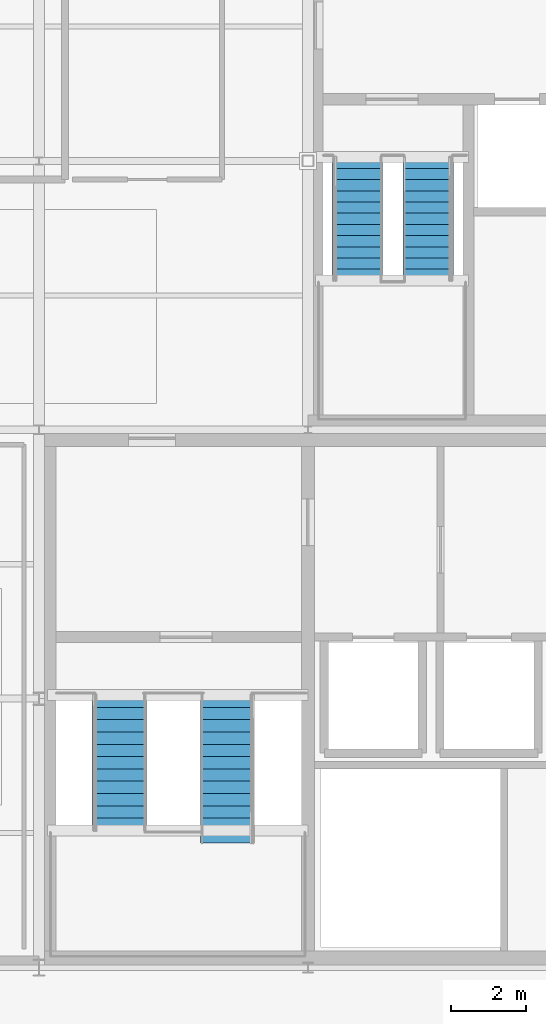
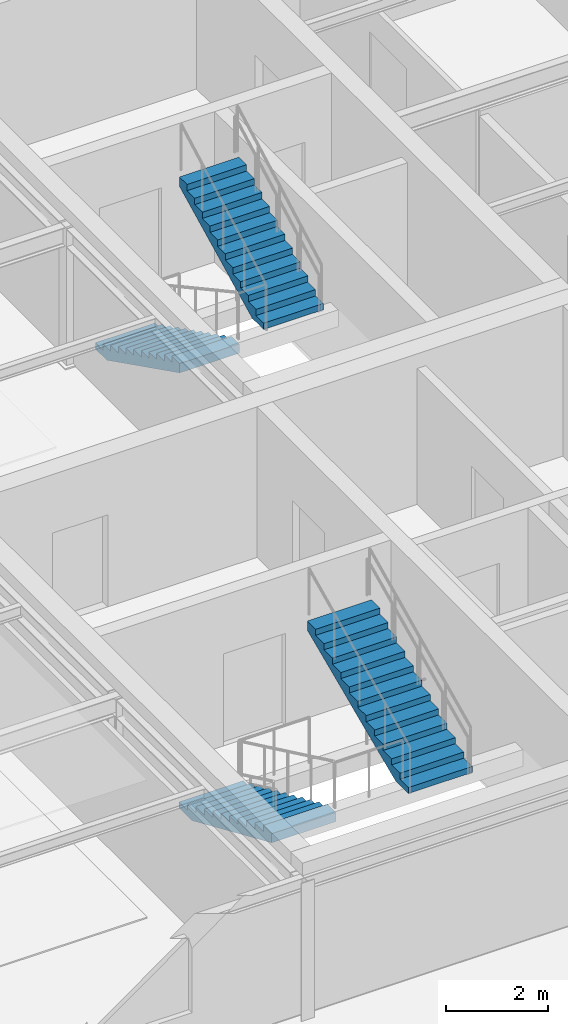
# One storey, part 19 of 22: 4 stair flights, 2 elements without a shape of their own.
"""IFC4 building model written with IfcOpenShell, lengths in metres."""

from ifc_helpers import new_model, si_unit, direction, frame, origin, place, context, subcontext, project, spatial, polyline, outline, extrude, material, layer, layer_set, type_object, element, aggregate, save


model = new_model("IFC4")

# Units and contexts
model_context = context("Model", 3, precision=1e-05, world=origin(), true_north=direction((0.0, 1.0)))
body_context = subcontext(model_context, "Body", "Model", "MODEL_VIEW")
ifc_project = project(units=[si_unit("LENGTHUNIT", "METRE"), si_unit("AREAUNIT", "SQUARE_METRE"), si_unit("VOLUMEUNIT", "CUBIC_METRE"), si_unit("PLANEANGLEUNIT", "RADIAN"), si_unit("MASSUNIT", "GRAM", prefix="KILO")], contexts=[model_context])

# Site, building, storey
site_placement = place(None, origin())
site = spatial("IfcSite", under=ifc_project, at=site_placement, CompositionType="ELEMENT")
building_placement = place(site_placement, origin())
building = spatial("IfcBuilding", under=site, at=building_placement, Name="Leyfeld Transit Interchange", CompositionType="ELEMENT")
storey_placement = place(building_placement, frame((0.0, 0.0, 18.0)))
storey = spatial("IfcBuildingStorey", under=building, at=storey_placement, Name="L04", CompositionType="ELEMENT", Elevation=18.0)

# Stair, stair flights
ifc_material = material(Name="Precast concrete C40/50", Category="concrete")
stair_type_1 = type_object("IfcStairType", Name="STR-HT-150x300", PredefinedType="HALF_TURN_STAIR", material=ifc_material)
stair_1_placement = place(storey_placement, origin())
stair_1 = element("IfcStair", 1, at=stair_1_placement, inside=storey, type_object=stair_type_1, Name="Exit Stair ST-02 (L04 to L05)", PredefinedType="HALF_TURN_STAIR")
ifc_layer_1 = layer(ifc_material, 0.199951171875, Name="Precast concrete C40/50")
ifc_layer_set_1 = layer_set([ifc_layer_1], Name="Precast concrete C40/50")
stair_flight_type_1 = type_object("IfcStairFlightType", Name="FLT-1350", PredefinedType="STRAIGHT", material=ifc_layer_set_1)
stair_flight_1_placement = place(storey_placement, frame((15.719970703125, 115.300048828125, 0.0), z_axis=(0.0, 0.0, 1.0), x_axis=(0.0, -1.0, 0.0)))
stair_flight_1 = element("IfcStairFlight", 2, at=stair_flight_1_placement, type_object=stair_flight_type_1, Name="Stair ST-02 L04 Flight 1", NumberOfRisers=12, NumberOfTreads=11, PredefinedType="STRAIGHT", RiserHeight=0.15, TreadLength=0.3, context=body_context, shape_type="SweptSolid", body=[
    extrude(outline(polyline([(0.0, 0.0), (0.0, 0.14990234375), (0.300048828125, 0.14990234375), (0.300048828125, 0.300048828125), (0.60009765625, 0.300048828125), (0.60009765625, 0.449951171875), (0.89990234375, 0.449951171875), (0.89990234375, 0.60009765625), (1.199951171875, 0.60009765625), (1.199951171875, 0.75), (1.5, 0.75), (1.5, 0.89990234375), (1.800048828125, 0.89990234375), (1.800048828125, 1.050048828125), (2.10009765625, 1.050048828125), (2.10009765625, 1.199951171875), (2.39990234375, 1.199951171875), (2.39990234375, 1.35009765625), (2.699951171875, 1.35009765625), (2.699951171875, 1.5), (3.0, 1.5), (3.0, 1.64990234375), (3.300048828125, 1.64990234375), (3.300048828125, 1.800048828125), (3.300048828125, 1.426513671875), (0.447021484375, 0.0), (0.0, 0.0)])), frame((0.0, 0.675048828125, 0.0), z_axis=(0.0, -1.0, 0.0), x_axis=(1.0, 0.0, 0.0)), (0.0, 0.0, 1.0), 1.35009765625),
])
stair_flight_2_placement = place(storey_placement, frame((17.6201171875, 112.0, 1.800048828125), z_axis=(0.0, 0.0, 1.0), x_axis=(0.0, 1.0, 0.0)))
stair_flight_2 = element("IfcStairFlight", 3, at=stair_flight_2_placement, type_object=stair_flight_type_1, Name="Stair ST-02 L04 Flight 2", NumberOfRisers=12, NumberOfTreads=11, PredefinedType="STRAIGHT", RiserHeight=0.15, TreadLength=0.3, context=body_context, shape_type="SweptSolid", body=[
    extrude(outline(polyline([(0.0, 0.0), (0.0, 0.14990234375), (0.300048828125, 0.14990234375), (0.300048828125, 0.300048828125), (0.60009765625, 0.300048828125), (0.60009765625, 0.449951171875), (0.89990234375, 0.449951171875), (0.89990234375, 0.60009765625), (1.199951171875, 0.60009765625), (1.199951171875, 0.75), (1.5, 0.75), (1.5, 0.89990234375), (1.800048828125, 0.89990234375), (1.800048828125, 1.050048828125), (2.10009765625, 1.050048828125), (2.10009765625, 1.199951171875), (2.39990234375, 1.199951171875), (2.39990234375, 1.35009765625), (2.699951171875, 1.35009765625), (2.699951171875, 1.5), (3.0, 1.5), (3.0, 1.64990234375), (3.300048828125, 1.64990234375), (3.300048828125, 1.800048828125), (3.300048828125, 1.426513671875), (0.447021484375, 0.0), (0.0, 0.0)])), frame((0.0, 0.675048828125, 0.0), z_axis=(0.0, -1.0, 0.0), x_axis=(1.0, 0.0, 0.0)), (0.0, 0.0, 1.0), 1.35009765625),
])
aggregate(stair_1, [stair_flight_1, stair_flight_2])

stair_type_2 = type_object("IfcStairType", Name="STR-HT-144x330", PredefinedType="HALF_TURN_STAIR", material=ifc_material)
stair_2_placement = place(storey_placement, origin())
stair_2 = element("IfcStair", 4, at=stair_2_placement, inside=storey, type_object=stair_type_2, Name="Exit Stair ST-01 (L04 to L05)", PredefinedType="HALF_TURN_STAIR")
ifc_layer_2 = layer(ifc_material, 0.199951171875, Name="Precast concrete C40/50")
ifc_layer_set_2 = layer_set([ifc_layer_2], Name="Precast concrete C40/50")
stair_flight_type_2 = type_object("IfcStairFlightType", Name="FLT-1450", PredefinedType="STRAIGHT", material=ifc_layer_set_2)
stair_flight_3_placement = place(storey_placement, frame((9.35009765625, 100.89990234375, 0.0), z_axis=(0.0, 0.0, 1.0), x_axis=(0.0, -1.0, 0.0)))
stair_flight_3 = element("IfcStairFlight", 5, at=stair_flight_3_placement, type_object=stair_flight_type_2, Name="Stair ST-01 L04 Flight 1", NumberOfRisers=12, NumberOfTreads=11, PredefinedType="STRAIGHT", RiserHeight=0.144, TreadLength=0.33, context=body_context, shape_type="SweptSolid", body=[
    extrude(outline(polyline([(0.0, 0.0), (0.0, 0.14404296875), (0.330078125, 0.14404296875), (0.330078125, 0.2880859375), (0.659912109375, 0.2880859375), (0.659912109375, 0.431884765625), (0.989990234375, 0.431884765625), (0.989990234375, 0.575927734375), (1.320068359375, 0.575927734375), (1.320068359375, 0.719970703125), (1.64990234375, 0.719970703125), (1.64990234375, 0.864013671875), (1.97998046875, 0.864013671875), (1.97998046875, 1.008056640625), (2.31005859375, 1.008056640625), (2.31005859375, 1.152099609375), (2.639892578125, 1.152099609375), (2.639892578125, 1.2958984375), (2.969970703125, 1.2958984375), (2.969970703125, 1.43994140625), (3.300048828125, 1.43994140625), (3.300048828125, 1.583984375), (3.6298828125, 1.583984375), (3.6298828125, 1.72802734375), (3.6298828125, 1.36572265625), (0.5, 0.0), (0.0, 0.0)])), frame((0.0, 0.72509765625, 0.0), z_axis=(0.0, -1.0, 0.0), x_axis=(1.0, 0.0, 0.0)), (0.0, 0.0, 1.0), 1.449951171875),
])
stair_flight_4_placement = place(storey_placement, frame((12.25, 96.93994140625, 1.72802734375), z_axis=(0.0, 0.0, 1.0), x_axis=(0.0, 1.0, 0.0)))
stair_flight_4 = element("IfcStairFlight", 6, at=stair_flight_4_placement, type_object=stair_flight_type_2, Name="Stair ST-01 L04 Flight 2", NumberOfRisers=13, NumberOfTreads=12, PredefinedType="STRAIGHT", RiserHeight=0.144, TreadLength=0.33, context=body_context, shape_type="SweptSolid", body=[
    extrude(outline(polyline([(0.0, 0.0), (0.0, 0.14404296875), (0.330078125, 0.14404296875), (0.330078125, 0.2880859375), (0.659912109375, 0.2880859375), (0.659912109375, 0.431884765625), (0.989990234375, 0.431884765625), (0.989990234375, 0.575927734375), (1.320068359375, 0.575927734375), (1.320068359375, 0.719970703125), (1.64990234375, 0.719970703125), (1.64990234375, 0.864013671875), (1.97998046875, 0.864013671875), (1.97998046875, 1.008056640625), (2.31005859375, 1.008056640625), (2.31005859375, 1.152099609375), (2.639892578125, 1.152099609375), (2.639892578125, 1.2958984375), (2.969970703125, 1.2958984375), (2.969970703125, 1.43994140625), (3.300048828125, 1.43994140625), (3.300048828125, 1.583984375), (3.6298828125, 1.583984375), (3.6298828125, 1.72802734375), (3.9599609375, 1.72802734375), (3.9599609375, 1.8720703125), (3.9599609375, 1.509765625), (0.5, 0.0), (0.0, 0.0)])), frame((0.0, 0.72509765625, 0.0), z_axis=(0.0, -1.0, 0.0), x_axis=(1.0, 0.0, 0.0)), (0.0, 0.0, 1.0), 1.449951171875),
])
aggregate(stair_2, [stair_flight_3, stair_flight_4])

save(model, "model.ifc")
